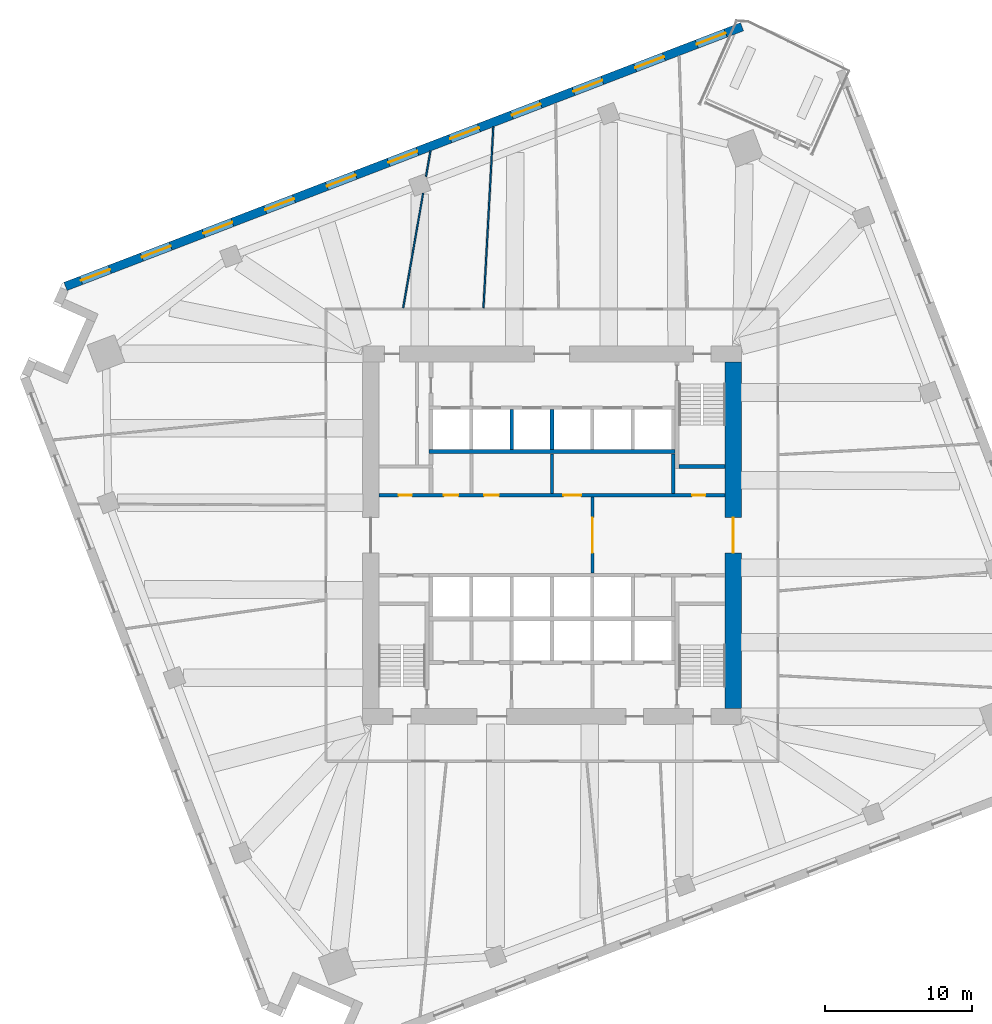
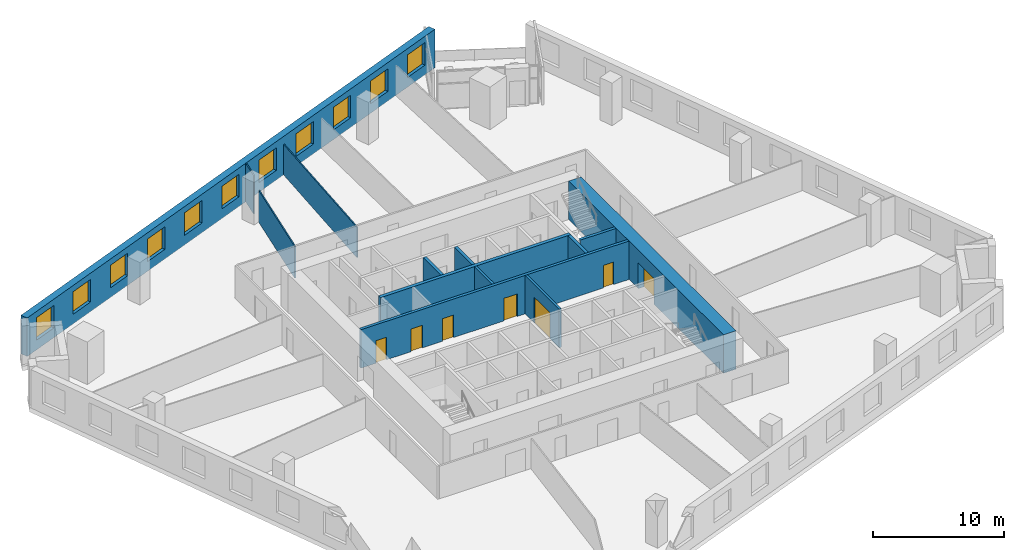
# One storey, part 10 of 14: 13 walls, 11 windows, 7 doors, 18 openings.
"""IFC4 building model written with IfcOpenShell, lengths in metres."""

from ifc_helpers import new_model, si_unit, direction, frame, frame_2d, origin, place, context, subcontext, project, spatial, rectangle, extrude, material, layer, layer_set, type_object, element, fill, save


model = new_model("IFC4")

# Units and contexts
model_context = context("Model", 3, precision=1e-05, world=origin(), true_north=direction((0.0, 1.0)))
body_context = subcontext(model_context, "Body", "Model", "MODEL_VIEW")
ifc_project = project(units=[si_unit("LENGTHUNIT", "METRE"), si_unit("AREAUNIT", "SQUARE_METRE"), si_unit("VOLUMEUNIT", "CUBIC_METRE"), si_unit("PLANEANGLEUNIT", "RADIAN"), si_unit("MASSUNIT", "GRAM", prefix="KILO")], contexts=[model_context])

# Site, building, storey
site_placement = place(None, origin())
site = spatial("IfcSite", under=ifc_project, at=site_placement, CompositionType="ELEMENT")
building_placement = place(site_placement, origin())
building = spatial("IfcBuilding", under=site, at=building_placement, Name="Dilmun Exchange Tower", CompositionType="ELEMENT")
storey_placement = place(building_placement, frame((0.0, 0.0, 110.10009765625)))
storey = spatial("IfcBuildingStorey", under=building, at=storey_placement, Name="L25", CompositionType="ELEMENT", Elevation=110.10009765625)

# Wall, opening, door
ifc_material_1 = material(Name="Concrete C40/50", Category="concrete")
ifc_layer_1 = layer(ifc_material_1, 0.199951171875)
ifc_layer_set_1 = layer_set([ifc_layer_1], Name="Concrete C40/50")
wall_type_1 = type_object("IfcWallType", Name="Core partition wall 200", PredefinedType="PARTITIONING", material=ifc_layer_set_1)
wall_1_placement = place(storey_placement, frame((2.75, -2.594970703125, 0.0), z_axis=(0.0, 0.0, 1.0), x_axis=(0.0, 1.0, 0.0)))
wall_1 = element("IfcWall", 1, at=wall_1_placement, inside=storey, type_object=wall_type_1, Name="L25 core partition wall 09", PredefinedType="PARTITIONING", context=body_context, shape_type="SweptSolid", body=[
    extrude(rectangle(XDim=5.18994140625, YDim=0.199951171875, at=frame_2d((2.594970703125, 0.0))), origin(), (0.0, 0.0, 1.0), 3.579833984375),
])
opening_1_placement = place(wall_1_placement, frame((1.39501953125, 0.0, 0.0)))
opening_1 = element("IfcOpeningElement", 2, at=opening_1_placement, cuts=wall_1, Name="Opening CD1", PredefinedType="OPENING", context=body_context, shape_type="SweptSolid", body=[
    extrude(rectangle(XDim=2.39990234375, YDim=2.39990234375, at=frame_2d((1.199951171875, 1.199951171875))), frame((0.0, 0.10986328125, 0.0), z_axis=(0.0, -1.0, 0.0), x_axis=(1.0, 0.0, 0.0)), (0.0, 0.0, 1.0), 0.219970703125),
])
ifc_material_2 = material(Name="Fire-rated steel door set", Category="steel")
door_type_1 = type_object("IfcDoorType", Name="Core lobby door 2400x2400", OperationType="DOUBLE_DOOR_DOUBLE_SWING", PredefinedType="DOOR", material=ifc_material_2)
door_1_placement = place(opening_1_placement, origin())
door_1 = element("IfcDoor", 3, at=door_1_placement, inside=storey, type_object=door_type_1, Name="L25 door Lift lobby east", OperationType="DOUBLE_DOOR_DOUBLE_SWING", OverallHeight=2.39990234375, OverallWidth=2.39990234375, PredefinedType="DOOR", context=body_context, shape_type="SweptSolid", body=[
    extrude(rectangle(XDim=2.39990234375, YDim=2.39990234375, at=frame_2d((1.199951171875, 1.199951171875))), frame((0.0, 0.02490234375, 0.0), z_axis=(0.0, -1.0, 0.0), x_axis=(1.0, 0.0, 0.0)), (0.0, 0.0, 1.0), 0.050048828125),
])
fill(opening_1, door_1)

# Wall
wall_2_placement = place(storey_placement, frame((0.0, 2.85498046875, 0.0), z_axis=(0.0, 0.0, 1.0), x_axis=(0.0, 1.0, 0.0)))
element("IfcWall", 4, at=wall_2_placement, inside=storey, type_object=wall_type_1, Name="L25 core partition wall 13", PredefinedType="PARTITIONING", context=body_context, shape_type="SweptSolid", body=[
    extrude(rectangle(XDim=2.68994140625, YDim=0.199951171875, at=frame_2d((1.344970703125, 0.0))), origin(), (0.0, 0.0, 1.0), 3.579833984375),
])

# Wall, openings, doors
ifc_layer_2 = layer(ifc_material_1, 0.25)
ifc_layer_set_2 = layer_set([ifc_layer_2], Name="Concrete C40/50")
wall_type_2 = type_object("IfcWallType", Name="Core partition wall 250", PredefinedType="PARTITIONING", material=ifc_layer_set_2)
wall_3_placement = place(storey_placement, frame((-11.794921875, 2.72509765625, 0.0), z_axis=(0.0, 0.0, 1.0), x_axis=(1.0, 0.0, 0.0)))
wall_3 = element("IfcWall", 5, at=wall_3_placement, inside=storey, type_object=wall_type_2, Name="L25 core partition wall 10", PredefinedType="PARTITIONING", context=body_context, shape_type="SweptSolid", body=[
    extrude(rectangle(XDim=23.58984375, YDim=0.25, at=frame_2d((11.794921875, 0.0))), origin(), (0.0, 0.0, 1.0), 3.579833984375),
])
opening_2_placement = place(wall_3_placement, frame((21.344970703125, 0.0, 0.0)))
opening_2 = element("IfcOpeningElement", 6, at=opening_2_placement, cuts=wall_3, Name="Opening CD6", PredefinedType="OPENING", context=body_context, shape_type="SweptSolid", body=[
    extrude(rectangle(XDim=0.89990234375, YDim=2.10009765625, at=frame_2d((0.449951171875, 1.050048828125))), frame((0.0, 0.135009765625, 0.0), z_axis=(0.0, -1.0, 0.0), x_axis=(1.0, 0.0, 0.0)), (0.0, 0.0, 1.0), 0.27001953125),
])
opening_3_placement = place(wall_3_placement, frame((1.344970703125, 0.0, 0.0)))
opening_3 = element("IfcOpeningElement", 7, at=opening_3_placement, cuts=wall_3, Name="Opening CD6", PredefinedType="OPENING", context=body_context, shape_type="SweptSolid", body=[
    extrude(rectangle(XDim=0.89990234375, YDim=2.10009765625, at=frame_2d((0.449951171875, 1.050048828125))), frame((0.0, 0.135009765625, 0.0), z_axis=(0.0, -1.0, 0.0), x_axis=(1.0, 0.0, 0.0)), (0.0, 0.0, 1.0), 0.27001953125),
])
opening_4_placement = place(wall_3_placement, frame((4.419921875, 0.0, 0.0)))
opening_4 = element("IfcOpeningElement", 8, at=opening_4_placement, cuts=wall_3, Name="Opening CD4", PredefinedType="OPENING", context=body_context, shape_type="SweptSolid", body=[
    extrude(rectangle(XDim=1.0, YDim=2.10009765625, at=frame_2d((0.5, 1.050048828125))), frame((0.0, 0.135009765625, 0.0), z_axis=(0.0, -1.0, 0.0), x_axis=(1.0, 0.0, 0.0)), (0.0, 0.0, 1.0), 0.27001953125),
])
opening_5_placement = place(wall_3_placement, frame((7.169921875, 0.0, 0.0)))
opening_5 = element("IfcOpeningElement", 9, at=opening_5_placement, cuts=wall_3, Name="Opening CD4", PredefinedType="OPENING", context=body_context, shape_type="SweptSolid", body=[
    extrude(rectangle(XDim=1.0, YDim=2.10009765625, at=frame_2d((0.5, 1.050048828125))), frame((0.0, 0.135009765625, 0.0), z_axis=(0.0, -1.0, 0.0), x_axis=(1.0, 0.0, 0.0)), (0.0, 0.0, 1.0), 0.27001953125),
])
opening_6_placement = place(wall_3_placement, frame((12.570068359375, 0.0, 0.0)))
opening_6 = element("IfcOpeningElement", 10, at=opening_6_placement, cuts=wall_3, Name="Opening CD3", PredefinedType="OPENING", context=body_context, shape_type="SweptSolid", body=[
    extrude(rectangle(XDim=1.199951171875, YDim=2.10009765625, at=frame_2d((0.60009765625, 1.050048828125))), frame((0.0, 0.135009765625, 0.0), z_axis=(0.0, -1.0, 0.0), x_axis=(1.0, 0.0, 0.0)), (0.0, 0.0, 1.0), 0.27001953125),
])
door_type_2 = type_object("IfcDoorType", Name="Core room door 1000x2100", OperationType="SINGLE_SWING_LEFT", PredefinedType="DOOR", material=ifc_material_2)
door_2_placement = place(opening_4_placement, origin())
door_2 = element("IfcDoor", 11, at=door_2_placement, inside=storey, type_object=door_type_2, Name="L25 door Records store", OperationType="SINGLE_SWING_RIGHT", OverallHeight=2.10009765625, OverallWidth=1.0, PredefinedType="DOOR", context=body_context, shape_type="SweptSolid", body=[
    extrude(rectangle(XDim=1.0, YDim=2.10009765625, at=frame_2d((0.5, 1.050048828125))), frame((0.0, 0.02490234375, 0.0), z_axis=(0.0, -1.0, 0.0), x_axis=(1.0, 0.0, 0.0)), (0.0, 0.0, 1.0), 0.050048828125),
])
fill(opening_4, door_2)
door_3_placement = place(opening_5_placement, origin())
door_3 = element("IfcDoor", 12, at=door_3_placement, inside=storey, type_object=door_type_2, Name="L25 door Switch room", OperationType="SINGLE_SWING_RIGHT", OverallHeight=2.10009765625, OverallWidth=1.0, PredefinedType="DOOR", context=body_context, shape_type="SweptSolid", body=[
    extrude(rectangle(XDim=1.0, YDim=2.10009765625, at=frame_2d((0.5, 1.050048828125))), frame((0.0, 0.02490234375, 0.0), z_axis=(0.0, -1.0, 0.0), x_axis=(1.0, 0.0, 0.0)), (0.0, 0.0, 1.0), 0.050048828125),
])
fill(opening_5, door_3)
door_type_3 = type_object("IfcDoorType", Name="Core room door 900x2100", OperationType="SINGLE_SWING_LEFT", PredefinedType="DOOR", material=ifc_material_2)
door_4_placement = place(opening_2_placement, origin())
door_4 = element("IfcDoor", 13, at=door_4_placement, inside=storey, type_object=door_type_3, Name="L25 door Electrical riser", OperationType="SINGLE_SWING_RIGHT", OverallHeight=2.10009765625, OverallWidth=0.89990234375, PredefinedType="DOOR", context=body_context, shape_type="SweptSolid", body=[
    extrude(rectangle(XDim=0.89990234375, YDim=2.10009765625, at=frame_2d((0.449951171875, 1.050048828125))), frame((0.0, 0.02490234375, 0.0), z_axis=(0.0, -1.0, 0.0), x_axis=(1.0, 0.0, 0.0)), (0.0, 0.0, 1.0), 0.050048828125),
])
fill(opening_2, door_4)
door_5_placement = place(opening_3_placement, origin())
door_5 = element("IfcDoor", 14, at=door_5_placement, inside=storey, type_object=door_type_3, Name="L25 door Plumbing riser", OperationType="SINGLE_SWING_RIGHT", OverallHeight=2.10009765625, OverallWidth=0.89990234375, PredefinedType="DOOR", context=body_context, shape_type="SweptSolid", body=[
    extrude(rectangle(XDim=0.89990234375, YDim=2.10009765625, at=frame_2d((0.449951171875, 1.050048828125))), frame((0.0, 0.02490234375, 0.0), z_axis=(0.0, -1.0, 0.0), x_axis=(1.0, 0.0, 0.0)), (0.0, 0.0, 1.0), 0.050048828125),
])
fill(opening_3, door_5)
door_type_4 = type_object("IfcDoorType", Name="Stair exit door 1200x2100", OperationType="SINGLE_SWING_LEFT", PredefinedType="DOOR", material=ifc_material_2)
door_6_placement = place(opening_6_placement, origin())
door_6 = element("IfcDoor", 15, at=door_6_placement, inside=storey, type_object=door_type_4, Name="L25 door Quiet working room", OperationType="SINGLE_SWING_LEFT", OverallHeight=2.10009765625, OverallWidth=1.199951171875, PredefinedType="DOOR", context=body_context, shape_type="SweptSolid", body=[
    extrude(rectangle(XDim=1.199951171875, YDim=2.10009765625, at=frame_2d((0.60009765625, 1.050048828125))), frame((0.0, 0.02490234375, 0.0), z_axis=(0.0, -1.0, 0.0), x_axis=(1.0, 0.0, 0.0)), (0.0, 0.0, 1.0), 0.050048828125),
])
fill(opening_6, door_6)

# Wall
wall_4_placement = place(storey_placement, frame((8.25, 2.85498046875, 0.0), z_axis=(0.0, 0.0, 1.0), x_axis=(0.0, 1.0, 0.0)))
element("IfcWall", 16, at=wall_4_placement, inside=storey, type_object=wall_type_2, Name="L25 core partition wall 14", PredefinedType="PARTITIONING", context=body_context, shape_type="SweptSolid", body=[
    extrude(rectangle(XDim=2.68994140625, YDim=0.25, at=frame_2d((1.344970703125, 0.0))), origin(), (0.0, 0.0, 1.0), 3.579833984375),
])

# Wall, opening, door
ifc_material_3 = material(Name="Concrete C80/95", Category="concrete")
ifc_layer_3 = layer(ifc_material_3, 1.10009765625)
ifc_layer_set_3 = layer_set([ifc_layer_3], Name="Concrete C80/95")
wall_type_3 = type_object("IfcWallType", Name="Core shear wall 1100 Concrete C80/95", PredefinedType="SHEAR", material=ifc_layer_set_3)
wall_5_placement = place(storey_placement, frame((12.35009765625, -11.800048828125, 0.0), z_axis=(0.0, 0.0, 1.0), x_axis=(0.0, 1.0, 0.0)))
wall_5 = element("IfcWall", 17, at=wall_5_placement, inside=storey, type_object=wall_type_3, Name="L25 core shear wall E", PredefinedType="SHEAR", context=body_context, shape_type="SweptSolid", body=[
    extrude(rectangle(XDim=23.60009765625, YDim=1.10009765625, at=frame_2d((11.800048828125, 0.0))), origin(), (0.0, 0.0, 1.0), 3.579833984375),
])
opening_7_placement = place(wall_5_placement, frame((10.60009765625, 0.0, 0.0)))
opening_7 = element("IfcOpeningElement", 18, at=opening_7_placement, cuts=wall_5, Name="Opening CD1", PredefinedType="OPENING", context=body_context, shape_type="SweptSolid", body=[
    extrude(rectangle(XDim=2.39990234375, YDim=2.39990234375, at=frame_2d((1.199951171875, 1.199951171875))), frame((0.0, 0.56005859375, 0.0), z_axis=(0.0, -1.0, 0.0), x_axis=(1.0, 0.0, 0.0)), (0.0, 0.0, 1.0), 1.1201171875),
])
door_7_placement = place(opening_7_placement, origin())
door_7 = element("IfcDoor", 19, at=door_7_placement, inside=storey, type_object=door_type_1, Name="L25 door Central lift lobby", OperationType="SINGLE_SWING_LEFT", OverallHeight=2.39990234375, OverallWidth=2.39990234375, PredefinedType="DOOR", context=body_context, shape_type="SweptSolid", body=[
    extrude(rectangle(XDim=2.39990234375, YDim=2.39990234375, at=frame_2d((1.199951171875, 1.199951171875))), frame((0.0, 0.02490234375, 0.0), z_axis=(0.0, -1.0, 0.0), x_axis=(1.0, 0.0, 0.0)), (0.0, 0.0, 1.0), 0.050048828125),
])
fill(opening_7, door_7)

# Walls
ifc_layer_4 = layer(ifc_material_1, 0.300048828125)
ifc_layer_set_4 = layer_set([ifc_layer_4], Name="Concrete C40/50")
wall_type_4 = type_object("IfcWallType", Name="Lift shaft shared wall 300", PredefinedType="SOLIDWALL", material=ifc_layer_set_4)
wall_6_placement = place(storey_placement, frame((-8.375, 5.699951171875, 0.0), z_axis=(0.0, 0.0, 1.0), x_axis=(1.0, 0.0, 0.0)))
element("IfcWall", 20, at=wall_6_placement, inside=storey, type_object=wall_type_4, Name="L25 lift shaft rear wall N", PredefinedType="SOLIDWALL", context=body_context, shape_type="SweptSolid", body=[
    extrude(rectangle(XDim=16.75, YDim=0.300048828125, at=frame_2d((8.375, 0.0))), origin(), (0.0, 0.0, 1.0), 3.579833984375),
])
ifc_layer_5 = layer(ifc_material_1, 0.25)
ifc_layer_set_5 = layer_set([ifc_layer_5], Name="Concrete C40/50")
wall_type_5 = type_object("IfcWallType", Name="Lift shaft wall 250", PredefinedType="SOLIDWALL", material=ifc_layer_set_5)
for number, where, z_axis, x_axis, name in (
    (21, (-2.75, 5.85009765625, 0.0), (0.0, 0.0, 1.0), (0.0, 1.0, 0.0), "L25 lift shaft divider N22"),
    (22, (0.0, 5.85009765625, 0.0), (0.0, 0.0, 1.0), (0.0, 1.0, 0.0), "L25 lift shaft divider N23"),
):
    element("IfcWall", number, at=place(storey_placement, frame(where, z_axis=z_axis, x_axis=x_axis)), inside=storey, type_object=wall_type_5, Name=name, PredefinedType="SOLIDWALL", context=body_context, shape_type="SweptSolid", body=[
        extrude(rectangle(XDim=2.699951171875, YDim=0.25, at=frame_2d((1.35009765625, 0.0))), origin(), (0.0, 0.0, 1.0), 3.579833984375),
    ])
ifc_material_4 = material(Name="Partition 100")
ifc_layer_6 = layer(ifc_material_4, 0.10009765625)
ifc_layer_set_6 = layer_set([ifc_layer_6], Name="Partition 100")
wall_type_6 = type_object("IfcWallType", Name="Partition 100", PredefinedType="PARTITIONING", material=ifc_layer_set_6)
wall_7_placement = place(storey_placement, frame((-10.1435546875, 15.483642578125, 0.0), z_axis=(0.0, 0.0, 1.0), x_axis=(0.17128272341, 0.985221918484, 0.0)))
element("IfcWall", 23, at=wall_7_placement, inside=storey, type_object=wall_type_6, Name="Partition", PredefinedType="PARTITIONING", context=body_context, shape_type="SweptSolid", body=[
    extrude(rectangle(XDim=7.93212890625, YDim=0.10009765625, at=frame_2d((3.966064453125, 0.0))), origin(), (0.0, 0.0, 1.0), 2.9599609375),
])
wall_8_placement = place(storey_placement, frame((-8.58740234375, 24.43408203125, 0.0), z_axis=(0.0, 0.0, 1.0), x_axis=(0.171329456072, 0.985213792779, 0.0)))
element("IfcWall", 24, at=wall_8_placement, inside=storey, type_object=wall_type_6, Name="Partition", PredefinedType="PARTITIONING", context=body_context, shape_type="SweptSolid", body=[
    extrude(rectangle(XDim=1.75830078125, YDim=0.10009765625, at=frame_2d((0.879150390625, 0.0))), origin(), (0.0, 0.0, 1.0), 3.579833984375),
])
wall_9_placement = place(storey_placement, frame((-4.6728515625, 15.477783203125, 0.0), z_axis=(0.0, 0.0, 1.0), x_axis=(0.054336931842, 0.998522657649, 0.0)))
element("IfcWall", 25, at=wall_9_placement, inside=storey, type_object=wall_type_6, Name="Partition", PredefinedType="PARTITIONING", context=body_context, shape_type="SweptSolid", body=[
    extrude(rectangle(XDim=12.3515625, YDim=0.10009765625, at=frame_2d((6.17578125, 0.0))), origin(), (0.0, 0.0, 1.0), 2.829833984375),
])

# Wall, openings, windows
ifc_material_5 = material(Name="Precast concrete C50/60", Category="concrete")
ifc_layer_7 = layer(ifc_material_5, 0.60009765625)
ifc_layer_set_7 = layer_set([ifc_layer_7], Name="Precast concrete C50/60")
wall_type_7 = type_object("IfcWallType", Name="Precast stone-clad wall 600", PredefinedType="STANDARD", material=ifc_layer_set_7)
wall_10_placement = place(storey_placement, frame((12.94580078125, 34.64013671875, 0.0), z_axis=(0.0, 0.0, 1.0), x_axis=(-0.933581036022, -0.358366361675, 0.0)))
wall_10 = element("IfcWall", 26, at=wall_10_placement, inside=storey, type_object=wall_type_7, Name="Facade wall L25-03", PredefinedType="STANDARD", context=body_context, shape_type="SweptSolid", body=[
    extrude(rectangle(XDim=49.375732421875, YDim=0.60009765625, at=frame_2d((24.68798828125, 0.0))), origin(), (0.0, 0.0, 1.0), 3.579833984375),
])
opening_8_placement = place(wall_10_placement, frame((1.199951171875, 0.0, 0.89990234375)))
opening_8 = element("IfcOpeningElement", 27, at=opening_8_placement, cuts=wall_10, Name="Opening W210-210", PredefinedType="OPENING", context=body_context, shape_type="SweptSolid", body=[
    extrude(rectangle(XDim=2.10009765625, YDim=2.10009765625, at=frame_2d((1.050048828125, 1.050048828125))), frame((0.0, 0.31005859375, 0.0), z_axis=(0.0, -1.0, 0.0), x_axis=(1.0, 0.0, 0.0)), (0.0, 0.0, 1.0), 0.6201171875),
])
opening_9_placement = place(wall_10_placement, frame((5.699951171875, 0.0, 0.89990234375)))
opening_9 = element("IfcOpeningElement", 28, at=opening_9_placement, cuts=wall_10, Name="Opening W210-210", PredefinedType="OPENING", context=body_context, shape_type="SweptSolid", body=[
    extrude(rectangle(XDim=2.10009765625, YDim=2.10009765625, at=frame_2d((1.050048828125, 1.050048828125))), frame((0.0, 0.31005859375, 0.0), z_axis=(0.0, -1.0, 0.0), x_axis=(1.0, 0.0, 0.0)), (0.0, 0.0, 1.0), 0.6201171875),
])
opening_10_placement = place(wall_10_placement, frame((10.199951171875, 0.0, 0.89990234375)))
opening_10 = element("IfcOpeningElement", 29, at=opening_10_placement, cuts=wall_10, Name="Opening W210-210", PredefinedType="OPENING", context=body_context, shape_type="SweptSolid", body=[
    extrude(rectangle(XDim=2.10009765625, YDim=2.10009765625, at=frame_2d((1.050048828125, 1.050048828125))), frame((0.0, 0.31005859375, 0.0), z_axis=(0.0, -1.0, 0.0), x_axis=(1.0, 0.0, 0.0)), (0.0, 0.0, 1.0), 0.6201171875),
])
opening_11_placement = place(wall_10_placement, frame((14.699951171875, 0.0, 0.89990234375)))
opening_11 = element("IfcOpeningElement", 30, at=opening_11_placement, cuts=wall_10, Name="Opening W210-210", PredefinedType="OPENING", context=body_context, shape_type="SweptSolid", body=[
    extrude(rectangle(XDim=2.10009765625, YDim=2.10009765625, at=frame_2d((1.050048828125, 1.050048828125))), frame((0.0, 0.31005859375, 0.0), z_axis=(0.0, -1.0, 0.0), x_axis=(1.0, 0.0, 0.0)), (0.0, 0.0, 1.0), 0.6201171875),
])
opening_12_placement = place(wall_10_placement, frame((19.199951171875, 0.0, 0.89990234375)))
opening_12 = element("IfcOpeningElement", 31, at=opening_12_placement, cuts=wall_10, Name="Opening W210-210", PredefinedType="OPENING", context=body_context, shape_type="SweptSolid", body=[
    extrude(rectangle(XDim=2.10009765625, YDim=2.10009765625, at=frame_2d((1.050048828125, 1.050048828125))), frame((0.0, 0.31005859375, 0.0), z_axis=(0.0, -1.0, 0.0), x_axis=(1.0, 0.0, 0.0)), (0.0, 0.0, 1.0), 0.6201171875),
])
opening_13_placement = place(wall_10_placement, frame((23.699951171875, 0.0, 0.89990234375)))
opening_13 = element("IfcOpeningElement", 32, at=opening_13_placement, cuts=wall_10, Name="Opening W210-210", PredefinedType="OPENING", context=body_context, shape_type="SweptSolid", body=[
    extrude(rectangle(XDim=2.10009765625, YDim=2.10009765625, at=frame_2d((1.050048828125, 1.050048828125))), frame((0.0, 0.31005859375, 0.0), z_axis=(0.0, -1.0, 0.0), x_axis=(1.0, 0.0, 0.0)), (0.0, 0.0, 1.0), 0.6201171875),
])
opening_14_placement = place(wall_10_placement, frame((28.199951171875, 0.0, 0.89990234375)))
opening_14 = element("IfcOpeningElement", 33, at=opening_14_placement, cuts=wall_10, Name="Opening W210-210", PredefinedType="OPENING", context=body_context, shape_type="SweptSolid", body=[
    extrude(rectangle(XDim=2.10009765625, YDim=2.10009765625, at=frame_2d((1.050048828125, 1.050048828125))), frame((0.0, 0.31005859375, 0.0), z_axis=(0.0, -1.0, 0.0), x_axis=(1.0, 0.0, 0.0)), (0.0, 0.0, 1.0), 0.6201171875),
])
opening_15_placement = place(wall_10_placement, frame((32.699951171875, 0.0, 0.89990234375)))
opening_15 = element("IfcOpeningElement", 34, at=opening_15_placement, cuts=wall_10, Name="Opening W210-210", PredefinedType="OPENING", context=body_context, shape_type="SweptSolid", body=[
    extrude(rectangle(XDim=2.10009765625, YDim=2.10009765625, at=frame_2d((1.050048828125, 1.050048828125))), frame((0.0, 0.31005859375, 0.0), z_axis=(0.0, -1.0, 0.0), x_axis=(1.0, 0.0, 0.0)), (0.0, 0.0, 1.0), 0.6201171875),
])
opening_16_placement = place(wall_10_placement, frame((37.199951171875, 0.0, 0.89990234375)))
opening_16 = element("IfcOpeningElement", 35, at=opening_16_placement, cuts=wall_10, Name="Opening W210-210", PredefinedType="OPENING", context=body_context, shape_type="SweptSolid", body=[
    extrude(rectangle(XDim=2.10009765625, YDim=2.10009765625, at=frame_2d((1.050048828125, 1.050048828125))), frame((0.0, 0.31005859375, 0.0), z_axis=(0.0, -1.0, 0.0), x_axis=(1.0, 0.0, 0.0)), (0.0, 0.0, 1.0), 0.6201171875),
])
opening_17_placement = place(wall_10_placement, frame((41.699951171875, 0.0, 0.89990234375)))
opening_17 = element("IfcOpeningElement", 36, at=opening_17_placement, cuts=wall_10, Name="Opening W210-210", PredefinedType="OPENING", context=body_context, shape_type="SweptSolid", body=[
    extrude(rectangle(XDim=2.10009765625, YDim=2.10009765625, at=frame_2d((1.050048828125, 1.050048828125))), frame((0.0, 0.31005859375, 0.0), z_axis=(0.0, -1.0, 0.0), x_axis=(1.0, 0.0, 0.0)), (0.0, 0.0, 1.0), 0.6201171875),
])
opening_18_placement = place(wall_10_placement, frame((46.137939453125, 0.0, 0.89990234375)))
opening_18 = element("IfcOpeningElement", 37, at=opening_18_placement, cuts=wall_10, Name="Opening W210-210", PredefinedType="OPENING", context=body_context, shape_type="SweptSolid", body=[
    extrude(rectangle(XDim=2.10009765625, YDim=2.10009765625, at=frame_2d((1.050048828125, 1.050048828125))), frame((0.0, 0.31005859375, 0.0), z_axis=(0.0, -1.0, 0.0), x_axis=(1.0, 0.0, 0.0)), (0.0, 0.0, 1.0), 0.6201171875),
])
ifc_material_6 = material(Name="Clear low-emissivity glass in aluminium frame", Category="aluminium")
window_type = type_object("IfcWindowType", Name="Punched window 2100 x 2100", PartitioningType="DOUBLE_PANEL_VERTICAL", PredefinedType="WINDOW", material=ifc_material_6)
window_1_placement = place(opening_8_placement, origin())
window_1 = element("IfcWindow", 38, at=window_1_placement, inside=storey, type_object=window_type, Name="Window 4.1", OverallHeight=2.10009765625, OverallWidth=2.10009765625, PartitioningType="SINGLE_PANEL", PredefinedType="WINDOW", context=body_context, shape_type="SweptSolid", body=[
    extrude(rectangle(XDim=2.10009765625, YDim=2.10009765625, at=frame_2d((1.050048828125, 1.050048828125))), frame((0.0, 0.030029296875, 0.0), z_axis=(0.0, -1.0, 0.0), x_axis=(1.0, 0.0, 0.0)), (0.0, 0.0, 1.0), 0.06005859375),
])
fill(opening_8, window_1)
window_2_placement = place(opening_9_placement, origin())
window_2 = element("IfcWindow", 39, at=window_2_placement, inside=storey, type_object=window_type, Name="Window 4.2", OverallHeight=2.10009765625, OverallWidth=2.10009765625, PartitioningType="SINGLE_PANEL", PredefinedType="WINDOW", context=body_context, shape_type="SweptSolid", body=[
    extrude(rectangle(XDim=2.10009765625, YDim=2.10009765625, at=frame_2d((1.050048828125, 1.050048828125))), frame((0.0, 0.030029296875, 0.0), z_axis=(0.0, -1.0, 0.0), x_axis=(1.0, 0.0, 0.0)), (0.0, 0.0, 1.0), 0.06005859375),
])
fill(opening_9, window_2)
window_3_placement = place(opening_10_placement, origin())
window_3 = element("IfcWindow", 40, at=window_3_placement, inside=storey, type_object=window_type, Name="Window 4.3", OverallHeight=2.10009765625, OverallWidth=2.10009765625, PartitioningType="SINGLE_PANEL", PredefinedType="WINDOW", context=body_context, shape_type="SweptSolid", body=[
    extrude(rectangle(XDim=2.10009765625, YDim=2.10009765625, at=frame_2d((1.050048828125, 1.050048828125))), frame((0.0, 0.030029296875, 0.0), z_axis=(0.0, -1.0, 0.0), x_axis=(1.0, 0.0, 0.0)), (0.0, 0.0, 1.0), 0.06005859375),
])
fill(opening_10, window_3)
window_4_placement = place(opening_11_placement, origin())
window_4 = element("IfcWindow", 41, at=window_4_placement, inside=storey, type_object=window_type, Name="Window 4.4", OverallHeight=2.10009765625, OverallWidth=2.10009765625, PartitioningType="SINGLE_PANEL", PredefinedType="WINDOW", context=body_context, shape_type="SweptSolid", body=[
    extrude(rectangle(XDim=2.10009765625, YDim=2.10009765625, at=frame_2d((1.050048828125, 1.050048828125))), frame((0.0, 0.030029296875, 0.0), z_axis=(0.0, -1.0, 0.0), x_axis=(1.0, 0.0, 0.0)), (0.0, 0.0, 1.0), 0.06005859375),
])
fill(opening_11, window_4)
window_5_placement = place(opening_12_placement, origin())
window_5 = element("IfcWindow", 42, at=window_5_placement, inside=storey, type_object=window_type, Name="Window 4.5", OverallHeight=2.10009765625, OverallWidth=2.10009765625, PartitioningType="SINGLE_PANEL", PredefinedType="WINDOW", context=body_context, shape_type="SweptSolid", body=[
    extrude(rectangle(XDim=2.10009765625, YDim=2.10009765625, at=frame_2d((1.050048828125, 1.050048828125))), frame((0.0, 0.030029296875, 0.0), z_axis=(0.0, -1.0, 0.0), x_axis=(1.0, 0.0, 0.0)), (0.0, 0.0, 1.0), 0.06005859375),
])
fill(opening_12, window_5)
window_6_placement = place(opening_13_placement, origin())
window_6 = element("IfcWindow", 43, at=window_6_placement, inside=storey, type_object=window_type, Name="Window 4.6", OverallHeight=2.10009765625, OverallWidth=2.10009765625, PartitioningType="SINGLE_PANEL", PredefinedType="WINDOW", context=body_context, shape_type="SweptSolid", body=[
    extrude(rectangle(XDim=2.10009765625, YDim=2.10009765625, at=frame_2d((1.050048828125, 1.050048828125))), frame((0.0, 0.030029296875, 0.0), z_axis=(0.0, -1.0, 0.0), x_axis=(1.0, 0.0, 0.0)), (0.0, 0.0, 1.0), 0.06005859375),
])
fill(opening_13, window_6)
window_7_placement = place(opening_14_placement, origin())
window_7 = element("IfcWindow", 44, at=window_7_placement, inside=storey, type_object=window_type, Name="Window 4.7", OverallHeight=2.10009765625, OverallWidth=2.10009765625, PartitioningType="SINGLE_PANEL", PredefinedType="WINDOW", context=body_context, shape_type="SweptSolid", body=[
    extrude(rectangle(XDim=2.10009765625, YDim=2.10009765625, at=frame_2d((1.050048828125, 1.050048828125))), frame((0.0, 0.030029296875, 0.0), z_axis=(0.0, -1.0, 0.0), x_axis=(1.0, 0.0, 0.0)), (0.0, 0.0, 1.0), 0.06005859375),
])
fill(opening_14, window_7)
window_8_placement = place(opening_15_placement, origin())
window_8 = element("IfcWindow", 45, at=window_8_placement, inside=storey, type_object=window_type, Name="Window 4.8", OverallHeight=2.10009765625, OverallWidth=2.10009765625, PartitioningType="SINGLE_PANEL", PredefinedType="WINDOW", context=body_context, shape_type="SweptSolid", body=[
    extrude(rectangle(XDim=2.10009765625, YDim=2.10009765625, at=frame_2d((1.050048828125, 1.050048828125))), frame((0.0, 0.030029296875, 0.0), z_axis=(0.0, -1.0, 0.0), x_axis=(1.0, 0.0, 0.0)), (0.0, 0.0, 1.0), 0.06005859375),
])
fill(opening_15, window_8)
window_9_placement = place(opening_16_placement, origin())
window_9 = element("IfcWindow", 46, at=window_9_placement, inside=storey, type_object=window_type, Name="Window 4.9", OverallHeight=2.10009765625, OverallWidth=2.10009765625, PartitioningType="SINGLE_PANEL", PredefinedType="WINDOW", context=body_context, shape_type="SweptSolid", body=[
    extrude(rectangle(XDim=2.10009765625, YDim=2.10009765625, at=frame_2d((1.050048828125, 1.050048828125))), frame((0.0, 0.030029296875, 0.0), z_axis=(0.0, -1.0, 0.0), x_axis=(1.0, 0.0, 0.0)), (0.0, 0.0, 1.0), 0.06005859375),
])
fill(opening_16, window_9)
window_10_placement = place(opening_17_placement, origin())
window_10 = element("IfcWindow", 47, at=window_10_placement, inside=storey, type_object=window_type, Name="Window 4.10", OverallHeight=2.10009765625, OverallWidth=2.10009765625, PartitioningType="SINGLE_PANEL", PredefinedType="WINDOW", context=body_context, shape_type="SweptSolid", body=[
    extrude(rectangle(XDim=2.10009765625, YDim=2.10009765625, at=frame_2d((1.050048828125, 1.050048828125))), frame((0.0, 0.030029296875, 0.0), z_axis=(0.0, -1.0, 0.0), x_axis=(1.0, 0.0, 0.0)), (0.0, 0.0, 1.0), 0.06005859375),
])
fill(opening_17, window_10)
window_11_placement = place(opening_18_placement, origin())
window_11 = element("IfcWindow", 48, at=window_11_placement, inside=storey, type_object=window_type, Name="Window 4.11", OverallHeight=2.10009765625, OverallWidth=2.10009765625, PartitioningType="SINGLE_PANEL", PredefinedType="WINDOW", context=body_context, shape_type="SweptSolid", body=[
    extrude(rectangle(XDim=2.10009765625, YDim=2.10009765625, at=frame_2d((1.050048828125, 1.050048828125))), frame((0.0, 0.030029296875, 0.0), z_axis=(0.0, -1.0, 0.0), x_axis=(1.0, 0.0, 0.0)), (0.0, 0.0, 1.0), 0.06005859375),
])
fill(opening_18, window_11)

# Wall
ifc_layer_8 = layer(ifc_material_1, 0.25)
ifc_layer_set_8 = layer_set([ifc_layer_8], Name="Concrete C40/50")
wall_type_8 = type_object("IfcWallType", Name="Stair end wall 250", PredefinedType="SOLIDWALL", material=ifc_layer_set_8)
wall_11_placement = place(storey_placement, frame((8.64990234375, 4.675048828125, 0.0), z_axis=(0.0, 0.0, 1.0), x_axis=(1.0, 0.0, 0.0)))
element("IfcWall", 49, at=wall_11_placement, inside=storey, type_object=wall_type_8, Name="L25 ST1 far wall", PredefinedType="SOLIDWALL", context=body_context, shape_type="SweptSolid", body=[
    extrude(rectangle(XDim=3.150146484375, YDim=0.25, at=frame_2d((1.5751953125, 0.0))), origin(), (0.0, 0.0, 1.0), 3.579833984375),
])

save(model, "model.ifc")
